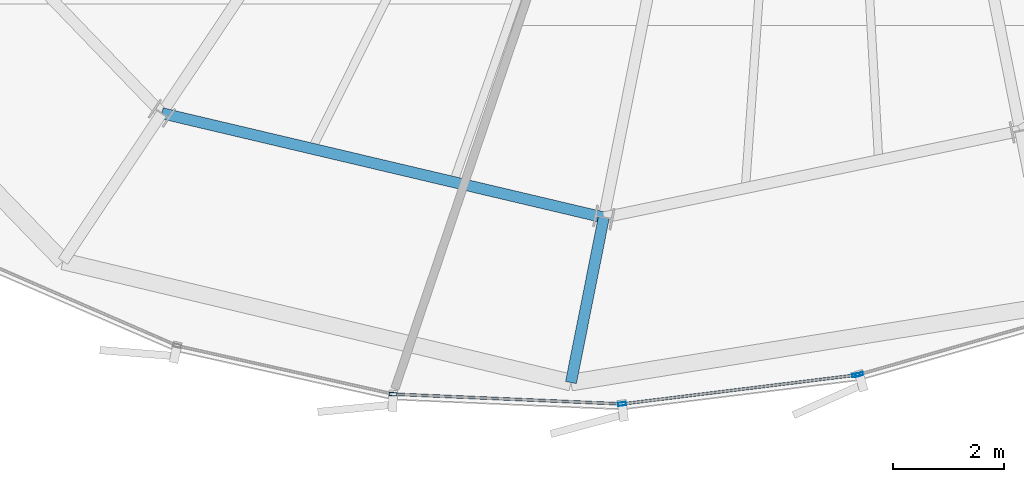
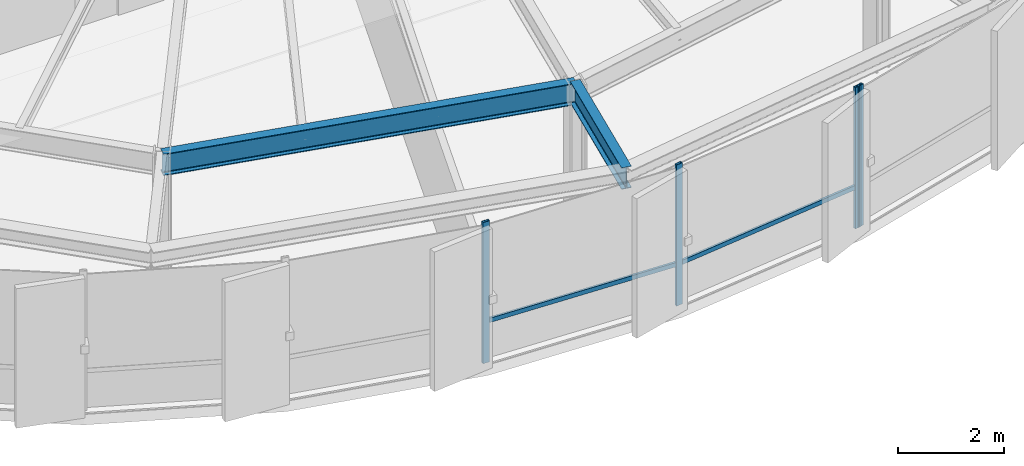
# One storey, part 6 of 34: 6 members, 2 beams, 2 elements without a shape of their own.
"""IFC4 building model written with IfcOpenShell, lengths in metres."""

from ifc_helpers import new_model, si_unit, direction, frame, origin, origin_2d, place, context, subcontext, project, spatial, hollow_rectangle, i_section, extrude, source, transform, mapped, material, layer, layer_set, material_profile, profile_set, type_object, element, aggregate, save


model = new_model("IFC4")

# Units and contexts
model_context = context("Model", 3, precision=1e-05, world=origin(), true_north=direction((0.0, 1.0)))
body_context = subcontext(model_context, "Body", "Model", "MODEL_VIEW")
ifc_project = project(units=[si_unit("LENGTHUNIT", "METRE"), si_unit("AREAUNIT", "SQUARE_METRE"), si_unit("VOLUMEUNIT", "CUBIC_METRE"), si_unit("PLANEANGLEUNIT", "RADIAN"), si_unit("MASSUNIT", "GRAM", prefix="KILO"), si_unit("THERMODYNAMICTEMPERATUREUNIT", "KELVIN")], contexts=[model_context])

# Site, building, storey
site_placement = place(None, origin())
site = spatial("IfcSite", under=ifc_project, at=site_placement, CompositionType="ELEMENT")
building_placement = place(site_placement, origin())
building = spatial("IfcBuilding", under=site, at=building_placement, Name="Kethvar Cultural Tower", CompositionType="ELEMENT")
storey_placement = place(building_placement, frame((0.0, 0.0, 183.39990234375)))
storey = spatial("IfcBuildingStorey", under=building, at=storey_placement, Name="L47", CompositionType="ELEMENT", Elevation=183.39990234375)

# Beams
ifc_material_1 = material(Name="Steel S355J2", Category="steel")
ifc_material_profile_1 = material_profile(ifc_material_1, i_section(OverallWidth=0.199951171875, OverallDepth=0.5, WebThickness=0.01025390625, FlangeThickness=0.01611328125, FilletRadius=0.02099609375, at=origin_2d()), Name="Steel S355J2 — IPE500")
ifc_profile_set_1 = profile_set([ifc_material_profile_1], Name="Steel S355J2 — IPE500")
beam_type = type_object("IfcBeamType", Name="BM-IPE500", PredefinedType="BEAM", material=ifc_profile_set_1)
shared_shape_1 = source(origin(), body_context, "Body", "SweptSolid", [
    extrude(i_section(OverallWidth=0.199951171875, OverallDepth=0.5, WebThickness=0.01025390625, FlangeThickness=0.01611328125, FilletRadius=0.02099609375, at=origin_2d()), origin(), (0.0, 0.0, 1.0), 8.158935546875),
])
beam_1_placement = place(storey_placement, frame((34.962646484375, 10.084228515625, 3.008056640625), z_axis=(0.973284754953, -0.229601362748, 0.0), x_axis=(0.229601362748, 0.973284754953, 0.0)))
element("IfcBeam", 1, at=beam_1_placement, inside=storey, type_object=beam_type, Name="L47 Column Ring Tie Beam CR-11", PredefinedType="BEAM", context=body_context, shape_type="MappedRepresentation", body=[
    mapped(shared_shape_1, transform((0.0, 0.0, 0.0), scale=1.0)),
])
shared_shape_2 = source(origin(), body_context, "Body", "SweptSolid", [
    extrude(i_section(OverallWidth=0.199951171875, OverallDepth=0.5, WebThickness=0.01025390625, FlangeThickness=0.01611328125, FilletRadius=0.02099609375, at=origin_2d()), origin(), (0.0, 0.0, 1.0), 3.02392578125),
])
beam_2_placement = place(storey_placement, frame((42.903564453125, 8.2109375, 3.008056640625), z_axis=(-0.195060231872, -0.980791265225, 0.0), x_axis=(0.980791265225, -0.195060231872, 0.0)))
element("IfcBeam", 2, at=beam_2_placement, inside=storey, type_object=beam_type, Name="L47 Perimeter Cantilever Beam RC-12", PredefinedType="BEAM", context=body_context, shape_type="MappedRepresentation", body=[
    mapped(shared_shape_2, transform((0.0, 0.0, 0.0), scale=1.0)),
])

# Curtain wall, members
ifc_material_2 = material(Name="Aluminium 6063-T6", Category="aluminium")
ifc_layer = layer(ifc_material_2, 0.179931640625, Name="Aluminium 6063-T6", Category="aluminium")
ifc_layer_set = layer_set([ifc_layer], Name="Aluminium 6063-T6 (180 mm)")
curtain_wall_type = type_object("IfcCurtainWallType", Name="CW-SYS-04-Z34", PredefinedType="NOTDEFINED", material=ifc_layer_set)
curtain_wall_1_placement = place(storey_placement, origin())
curtain_wall_1 = element("IfcCurtainWall", 3, at=curtain_wall_1_placement, inside=storey, type_object=curtain_wall_type, Name="L47 Curtain Wall Run 04", PredefinedType="NOTDEFINED")
ifc_material_profile_2 = material_profile(ifc_material_2, hollow_rectangle(XDim=0.06005859375, YDim=0.139892578125, WallThickness=0.0048828125, at=origin_2d()), Name="Aluminium 6063-T6 — RHS140x60x5")
ifc_profile_set_2 = profile_set([ifc_material_profile_2], Name="Aluminium 6063-T6 — RHS140x60x5")
member_type_1 = type_object("IfcMemberType", Name="CW-SYS-04-Z34-MUL", PredefinedType="MULLION", material=ifc_profile_set_2)
shared_shape_3 = source(origin(), body_context, "Body", "SweptSolid", [
    extrude(hollow_rectangle(XDim=0.06005859375, YDim=0.139892578125, WallThickness=0.0048828125, at=origin_2d()), origin(), (0.0, 0.0, 1.0), 3.260009765625),
])
member_1_placement = place(storey_placement, frame((39.117431640625, 5.037109375, 0.0), z_axis=(0.0, 0.0, 1.0), x_axis=(0.042642912559, 0.999090377298, 0.0)))
member_1 = element("IfcMember", 4, at=member_1_placement, type_object=member_type_1, Name="CW-L47-R04 Mullion 5", PredefinedType="MULLION", context=body_context, shape_type="MappedRepresentation", body=[
    mapped(shared_shape_3, transform((0.0, 0.0, 0.0), scale=1.0)),
])
member_2_placement = place(storey_placement, frame((43.231689453125, 4.860107421875, 0.0), z_axis=(0.0, 0.0, 1.0), x_axis=(-0.122614206542, 0.992454410214, 0.0)))
member_2 = element("IfcMember", 5, at=member_2_placement, type_object=member_type_1, Name="CW-L47-R04 Mullion 6", PredefinedType="MULLION", context=body_context, shape_type="MappedRepresentation", body=[
    mapped(shared_shape_3, transform((0.0, 0.0, 0.0), scale=1.0)),
])
member_3_placement = place(storey_placement, frame((47.43359375, 5.379150390625, 0.0), z_axis=(0.0, 0.0, 1.0), x_axis=(-0.122614206542, 0.992454410214, 0.0)))
member_3 = element("IfcMember", 6, at=member_3_placement, type_object=member_type_1, Name="CW-L47-R04 Mullion 7", PredefinedType="MULLION", context=body_context, shape_type="MappedRepresentation", body=[
    mapped(shared_shape_3, transform((0.0, 0.0, 0.0), scale=1.0)),
])

# Curtain wall, member
curtain_wall_2_placement = place(storey_placement, origin())
curtain_wall_2 = element("IfcCurtainWall", 7, at=curtain_wall_2_placement, inside=storey, type_object=curtain_wall_type, Name="L47 Curtain Wall Run 05", PredefinedType="NOTDEFINED")
member_4_placement = place(storey_placement, frame((47.492919921875, 5.391357421875, 0.0), z_axis=(0.0, 0.0, 1.0), x_axis=(-0.275318574218, 0.961353047892, 0.0)))
member_4 = element("IfcMember", 8, at=member_4_placement, type_object=member_type_1, Name="CW-L47-R05 Mullion 1", PredefinedType="MULLION", context=body_context, shape_type="MappedRepresentation", body=[
    mapped(shared_shape_3, transform((0.0, 0.0, 0.0), scale=1.0)),
])
aggregate(curtain_wall_2, [member_4])

# Member
ifc_material_profile_3 = material_profile(ifc_material_2, hollow_rectangle(XDim=0.050048828125, YDim=0.10009765625, WallThickness=0.00390625, at=origin_2d()), Name="Aluminium 6063-T6 — RHS100x50x4")
ifc_profile_set_3 = profile_set([ifc_material_profile_3], Name="Aluminium 6063-T6 — RHS100x50x4")
member_type_2 = type_object("IfcMemberType", Name="CW-SYS-04-Z34-TRN", PredefinedType="USERDEFINED", material=ifc_profile_set_3)
shared_shape_4 = source(origin(), body_context, "Body", "SweptSolid", [
    extrude(hollow_rectangle(XDim=0.050048828125, YDim=0.10009765625, WallThickness=0.00390625, at=origin_2d()), origin(), (0.0, 0.0, 1.0), 4.186279296875),
])
member_5_placement = place(storey_placement, frame((43.274658203125, 4.865478515625, 0.9501953125), z_axis=(0.992458052285, 0.122584723581, 0.0), x_axis=(-0.122584723581, 0.992458052285, 0.0)))
member_5 = element("IfcMember", 9, at=member_5_placement, type_object=member_type_2, Name="CW-L47-R04 Transom 6", ObjectType="TRANSOM", PredefinedType="USERDEFINED", context=body_context, shape_type="MappedRepresentation", body=[
    mapped(shared_shape_4, transform((0.0, 0.0, 0.0), scale=1.0)),
])

shared_shape_5 = source(origin(), body_context, "Body", "SweptSolid", [
    extrude(hollow_rectangle(XDim=0.050048828125, YDim=0.10009765625, WallThickness=0.00390625, at=origin_2d()), origin(), (0.0, 0.0, 1.0), 4.0498046875),
])
member_6_placement = place(storey_placement, frame((39.16064453125, 5.035400390625, 0.9501953125), z_axis=(0.999088744184, -0.042681157961, 0.0), x_axis=(0.042681157961, 0.999088744184, 0.0)))
member_6 = element("IfcMember", 10, at=member_6_placement, type_object=member_type_2, Name="CW-L47-R04 Transom 5", ObjectType="TRANSOM", PredefinedType="USERDEFINED", context=body_context, shape_type="MappedRepresentation", body=[
    mapped(shared_shape_5, transform((0.0, 0.0, 0.0), scale=1.0)),
])

aggregate(curtain_wall_1, [member_1, member_2, member_3, member_6, member_5])

save(model, "model.ifc")
